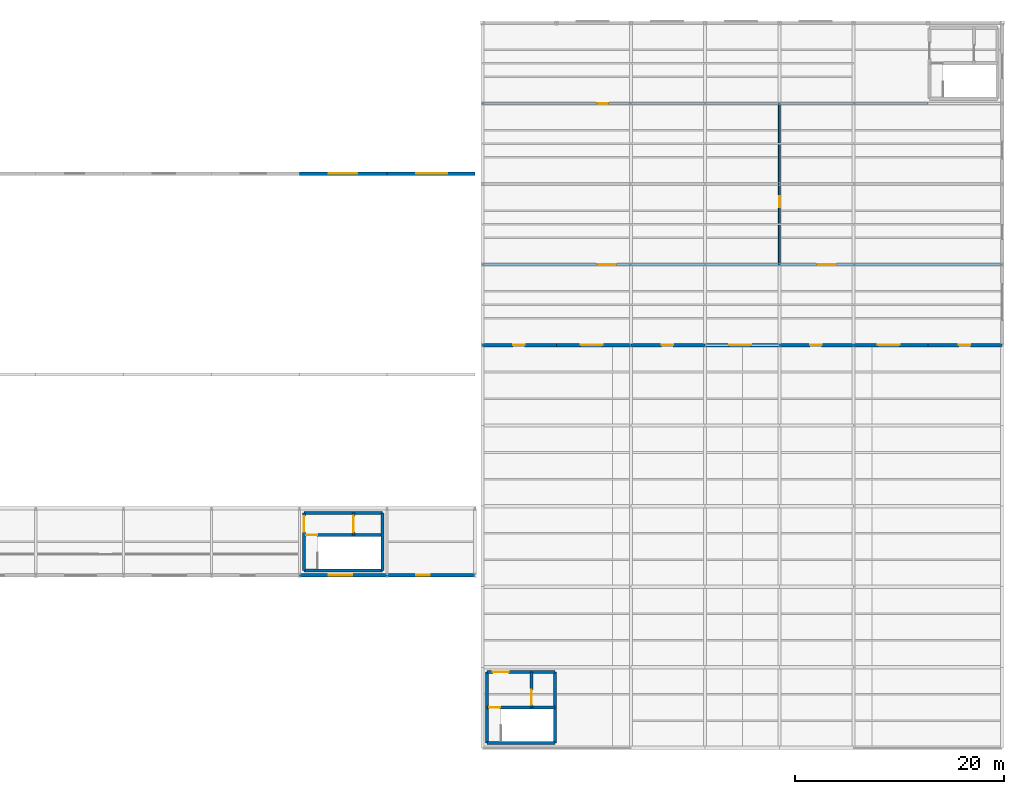
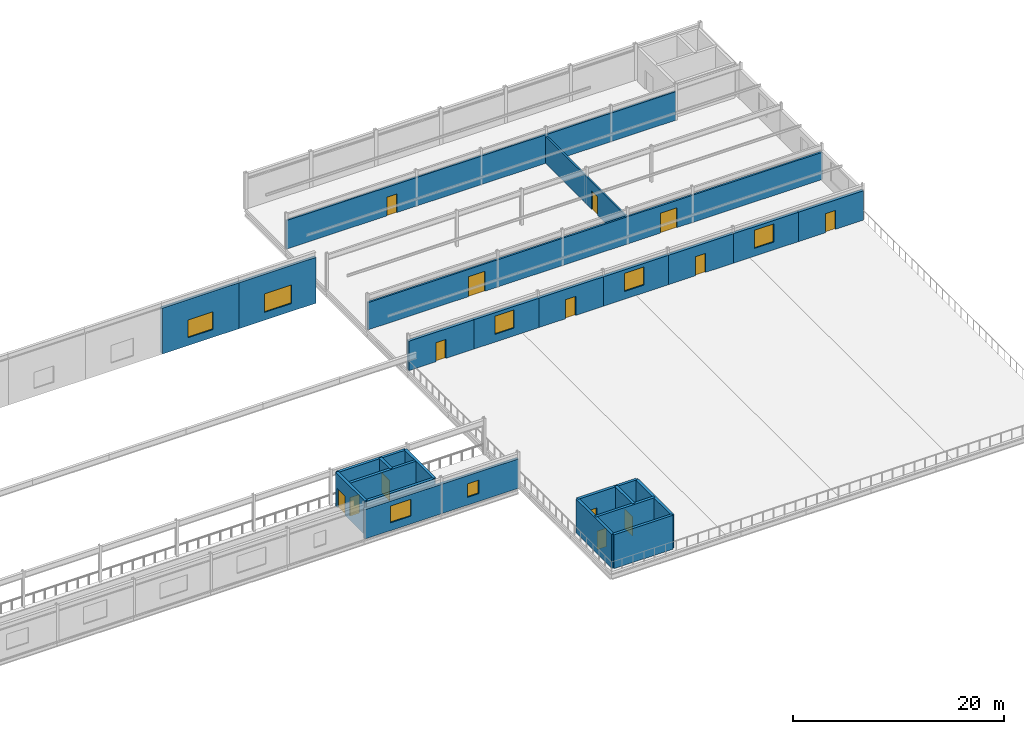
# One storey, part 33 of 39: 26 walls, 14 doors, 7 windows, 21 openings.
"""IFC4 building model written with IfcOpenShell, lengths in metres."""

from ifc_helpers import new_model, si_unit, direction, frame, frame_2d, origin, place, context, subcontext, project, spatial, rectangle, extrude, material, layer, layer_set, type_object, element, fill, save


model = new_model("IFC4")

# Units and contexts
model_context = context("Model", 3, precision=1e-05, world=origin(), true_north=direction((0.0, 1.0)))
body_context = subcontext(model_context, "Body", "Model", "MODEL_VIEW")
ifc_project = project(units=[si_unit("LENGTHUNIT", "METRE"), si_unit("AREAUNIT", "SQUARE_METRE"), si_unit("VOLUMEUNIT", "CUBIC_METRE"), si_unit("PLANEANGLEUNIT", "RADIAN"), si_unit("MASSUNIT", "GRAM", prefix="KILO")], contexts=[model_context])

# Site, building, storey
site_placement = place(None, origin())
site = spatial("IfcSite", under=ifc_project, at=site_placement, CompositionType="ELEMENT")
building_placement = place(site_placement, origin())
building = spatial("IfcBuilding", under=site, at=building_placement, Name="Kazenagashi Tramway Depot", CompositionType="ELEMENT")
storey_placement = place(building_placement, frame((0.0, 0.0, 11.1)))
storey = spatial("IfcBuildingStorey", under=building, at=storey_placement, Name="L03", CompositionType="ELEMENT", Elevation=11.1)

# Wall, opening, window
ifc_material_1 = material(Name="Clay Brick Masonry JIS R 1250 Class 1 (20 MPa)", Category="masonry")
ifc_layer_1 = layer(ifc_material_1, 0.32)
ifc_layer_set_1 = layer_set([ifc_layer_1], Name="Clay Brick Masonry JIS R 1250 Class 1 (20 MPa)")
wall_type_1 = type_object("IfcWallType", Name="W-BK3", PredefinedType="SOLIDWALL", material=ifc_layer_set_1)
wall_1_placement = place(storey_placement, frame((128.8, 16.5, 0.0), z_axis=(0.0, 0.0, 1.0), x_axis=(1.0, 0.0, 0.0)))
wall_1 = element("IfcWall", 1, at=wall_1_placement, inside=storey, type_object=wall_type_1, Name="Exterior Brick Wall W-BK3 EWALL-0098", PredefinedType="SOLIDWALL", context=body_context, shape_type="SweptSolid", body=[
    extrude(rectangle(XDim=8.4, YDim=0.32, at=frame_2d((4.2, 0.0))), origin(), (0.0, 0.0, 1.0), 3.4),
])
opening_1_placement = place(wall_1_placement, frame((2.8, 0.0, 0.9)))
opening_1 = element("IfcOpeningElement", 2, at=opening_1_placement, cuts=wall_1, Name="Opening WN-19", PredefinedType="OPENING", context=body_context, shape_type="SweptSolid", body=[
    extrude(rectangle(XDim=2.25, YDim=1.95, at=frame_2d((1.125, 0.975))), frame((0.0, 0.17, 0.0), z_axis=(0.0, -1.0, 0.0), x_axis=(1.0, 0.0, 0.0)), (0.0, 0.0, 1.0), 0.34),
])
ifc_material_2 = material(Name="Anodised Aluminium and Tempered Low-E Glass", Category="aluminium")
window_type_1 = type_object("IfcWindowType", Name="WN-19", PartitioningType="SINGLE_PANEL", PredefinedType="WINDOW", material=ifc_material_2)
window_1_placement = place(opening_1_placement, origin())
window_1 = element("IfcWindow", 3, at=window_1_placement, inside=storey, type_object=window_type_1, Name="Window WN-19 WIN-0067", OverallHeight=1.95, OverallWidth=2.25, PartitioningType="SINGLE_PANEL", PredefinedType="WINDOW", context=body_context, shape_type="SweptSolid", body=[
    extrude(rectangle(XDim=2.25, YDim=1.95, at=frame_2d((1.125, 0.975))), frame((0.0, 0.03, 0.0), z_axis=(0.0, -1.0, 0.0), x_axis=(1.0, 0.0, 0.0)), (0.0, 0.0, 1.0), 0.06),
])
fill(opening_1, window_1)

wall_2_placement = place(storey_placement, frame((137.2, 16.5, 0.0), z_axis=(0.0, 0.0, 1.0), x_axis=(1.0, 0.0, 0.0)))
wall_2 = element("IfcWall", 4, at=wall_2_placement, inside=storey, type_object=wall_type_1, Name="Exterior Brick Wall W-BK3 EWALL-0100", PredefinedType="SOLIDWALL", context=body_context, shape_type="SweptSolid", body=[
    extrude(rectangle(XDim=8.4, YDim=0.32, at=frame_2d((4.2, 0.0))), origin(), (0.0, 0.0, 1.0), 3.4),
])
opening_2_placement = place(wall_2_placement, frame((2.8, 0.0, 0.9)))
opening_2 = element("IfcOpeningElement", 5, at=opening_2_placement, cuts=wall_2, Name="Opening WN-21", PredefinedType="OPENING", context=body_context, shape_type="SweptSolid", body=[
    extrude(rectangle(XDim=1.25, YDim=1.55, at=frame_2d((0.625, 0.775))), frame((0.0, 0.17, 0.0), z_axis=(0.0, -1.0, 0.0), x_axis=(1.0, 0.0, 0.0)), (0.0, 0.0, 1.0), 0.34),
])
window_type_2 = type_object("IfcWindowType", Name="WN-21", PartitioningType="SINGLE_PANEL", PredefinedType="WINDOW", material=ifc_material_2)
window_2_placement = place(opening_2_placement, origin())
window_2 = element("IfcWindow", 6, at=window_2_placement, inside=storey, type_object=window_type_2, Name="Window WN-21 WIN-0069", OverallHeight=1.55, OverallWidth=1.25, PartitioningType="SINGLE_PANEL", PredefinedType="WINDOW", context=body_context, shape_type="SweptSolid", body=[
    extrude(rectangle(XDim=1.25, YDim=1.55, at=frame_2d((0.625, 0.775))), frame((0.0, 0.03, 0.0), z_axis=(0.0, -1.0, 0.0), x_axis=(1.0, 0.0, 0.0)), (0.0, 0.0, 1.0), 0.06),
])
fill(opening_2, window_2)

wall_3_placement = place(storey_placement, frame((128.8, 54.9, -1.9), z_axis=(0.0, 0.0, 1.0), x_axis=(1.0, 0.0, 0.0)))
wall_3 = element("IfcWall", 7, at=wall_3_placement, inside=storey, type_object=wall_type_1, Name="Exterior Brick Wall W-BK3 EWALL-0122", PredefinedType="SOLIDWALL", context=body_context, shape_type="SweptSolid", body=[
    extrude(rectangle(XDim=8.4, YDim=0.32, at=frame_2d((4.2, 0.0))), origin(), (0.0, 0.0, 1.0), 5.3),
])
opening_3_placement = place(wall_3_placement, frame((2.8, 0.0, 0.9)))
opening_3 = element("IfcOpeningElement", 8, at=opening_3_placement, cuts=wall_3, Name="Opening WN-43", PredefinedType="OPENING", context=body_context, shape_type="SweptSolid", body=[
    extrude(rectangle(XDim=2.75, YDim=2.05, at=frame_2d((1.375, 1.025))), frame((0.0, 0.17, 0.0), z_axis=(0.0, -1.0, 0.0), x_axis=(1.0, 0.0, 0.0)), (0.0, 0.0, 1.0), 0.34),
])
window_type_3 = type_object("IfcWindowType", Name="WN-43", PartitioningType="SINGLE_PANEL", PredefinedType="WINDOW", material=ifc_material_2)
window_3_placement = place(opening_3_placement, origin())
window_3 = element("IfcWindow", 9, at=window_3_placement, inside=storey, type_object=window_type_3, Name="Window WN-43 WIN-0091", OverallHeight=2.05, OverallWidth=2.75, PartitioningType="SINGLE_PANEL", PredefinedType="WINDOW", context=body_context, shape_type="SweptSolid", body=[
    extrude(rectangle(XDim=2.75, YDim=2.05, at=frame_2d((1.375, 1.025))), frame((0.0, 0.03, 0.0), z_axis=(0.0, -1.0, 0.0), x_axis=(1.0, 0.0, 0.0)), (0.0, 0.0, 1.0), 0.06),
])
fill(opening_3, window_3)

wall_4_placement = place(storey_placement, frame((137.2, 54.9, -1.9), z_axis=(0.0, 0.0, 1.0), x_axis=(1.0, 0.0, 0.0)))
wall_4 = element("IfcWall", 10, at=wall_4_placement, inside=storey, type_object=wall_type_1, Name="Exterior Brick Wall W-BK3 EWALL-0124", PredefinedType="SOLIDWALL", context=body_context, shape_type="SweptSolid", body=[
    extrude(rectangle(XDim=8.4, YDim=0.32, at=frame_2d((4.2, 0.0))), origin(), (0.0, 0.0, 1.0), 5.3),
])
opening_4_placement = place(wall_4_placement, frame((2.8, 0.0, 0.9)))
opening_4 = element("IfcOpeningElement", 11, at=opening_4_placement, cuts=wall_4, Name="Opening WN-45", PredefinedType="OPENING", context=body_context, shape_type="SweptSolid", body=[
    extrude(rectangle(XDim=2.95, YDim=2.15, at=frame_2d((1.475, 1.075))), frame((0.0, 0.17, 0.0), z_axis=(0.0, -1.0, 0.0), x_axis=(1.0, 0.0, 0.0)), (0.0, 0.0, 1.0), 0.34),
])
window_type_4 = type_object("IfcWindowType", Name="WN-45", PartitioningType="SINGLE_PANEL", PredefinedType="WINDOW", material=ifc_material_2)
window_4_placement = place(opening_4_placement, origin())
window_4 = element("IfcWindow", 12, at=window_4_placement, inside=storey, type_object=window_type_4, Name="Window WN-45 WIN-0093", OverallHeight=2.15, OverallWidth=2.95, PartitioningType="SINGLE_PANEL", PredefinedType="WINDOW", context=body_context, shape_type="SweptSolid", body=[
    extrude(rectangle(XDim=2.95, YDim=2.15, at=frame_2d((1.475, 1.075))), frame((0.0, 0.03, 0.0), z_axis=(0.0, -1.0, 0.0), x_axis=(1.0, 0.0, 0.0)), (0.0, 0.0, 1.0), 0.06),
])
fill(opening_4, window_4)

# Wall, opening, door
wall_5_placement = place(storey_placement, frame((146.3, 38.5, 0.0), z_axis=(0.0, 0.0, 1.0), x_axis=(1.0, 0.0, 0.0)))
wall_5 = element("IfcWall", 13, at=wall_5_placement, inside=storey, type_object=wall_type_1, Name="Exterior Brick Wall W-BK3 EWALL-0174", PredefinedType="SOLIDWALL", context=body_context, shape_type="SweptSolid", body=[
    extrude(rectangle(XDim=7.1, YDim=0.32, at=frame_2d((3.55, 0.0))), origin(), (0.0, 0.0, 1.0), 3.4),
])
opening_5_placement = place(wall_5_placement, frame((2.95, 0.0, 0.0)))
opening_5 = element("IfcOpeningElement", 14, at=opening_5_placement, cuts=wall_5, Name="Opening D-011", PredefinedType="OPENING", context=body_context, shape_type="SweptSolid", body=[
    extrude(rectangle(XDim=1.1, YDim=2.2, at=frame_2d((0.55, 1.1))), frame((0.0, 0.17, 0.0), z_axis=(0.0, -1.0, 0.0), x_axis=(1.0, 0.0, 0.0)), (0.0, 0.0, 1.0), 0.34),
])
ifc_material_3 = material(Name="Anodised Aluminium Terrace Door", Category="aluminium")
door_type_1 = type_object("IfcDoorType", Name="DT-04", OperationType="NOTDEFINED", PredefinedType="DOOR", material=ifc_material_3)
door_1_placement = place(opening_5_placement, frame((1.1, 0.0, 0.0), z_axis=(0.0, 0.0, 1.0), x_axis=(-1.0, 0.0, 0.0)))
door_1 = element("IfcDoor", 15, at=door_1_placement, inside=storey, type_object=door_type_1, Name="Roof Garden Terrace Access Door D-011", OperationType="SINGLE_SWING_LEFT", OverallHeight=2.2, OverallWidth=1.1, PredefinedType="DOOR", context=body_context, shape_type="SweptSolid", body=[
    extrude(rectangle(XDim=1.1, YDim=2.2, at=frame_2d((0.55, 1.1))), frame((0.0, 0.025, 0.0), z_axis=(0.0, -1.0, 0.0), x_axis=(1.0, 0.0, 0.0)), (0.0, 0.0, 1.0), 0.05),
])
fill(opening_5, door_1)

# Wall, opening, window
wall_6_placement = place(storey_placement, frame((153.4, 38.5, 0.0), z_axis=(0.0, 0.0, 1.0), x_axis=(1.0, 0.0, 0.0)))
wall_6 = element("IfcWall", 16, at=wall_6_placement, inside=storey, type_object=wall_type_1, Name="Exterior Brick Wall W-BK3 EWALL-0175", PredefinedType="SOLIDWALL", context=body_context, shape_type="SweptSolid", body=[
    extrude(rectangle(XDim=7.1, YDim=0.32, at=frame_2d((3.55, 0.0))), origin(), (0.0, 0.0, 1.0), 3.4),
])
opening_6_placement = place(wall_6_placement, frame((2.3, 0.0, 0.9)))
opening_6 = element("IfcOpeningElement", 17, at=opening_6_placement, cuts=wall_6, Name="Opening WN-08", PredefinedType="OPENING", context=body_context, shape_type="SweptSolid", body=[
    extrude(rectangle(XDim=2.1, YDim=2.1, at=frame_2d((1.05, 1.05))), frame((0.0, 0.17, 0.0), z_axis=(0.0, -1.0, 0.0), x_axis=(1.0, 0.0, 0.0)), (0.0, 0.0, 1.0), 0.34),
])
window_type_5 = type_object("IfcWindowType", Name="WN-08", PartitioningType="SINGLE_PANEL", PredefinedType="WINDOW", material=ifc_material_2)
window_5_placement = place(opening_6_placement, origin())
window_5 = element("IfcWindow", 18, at=window_5_placement, inside=storey, type_object=window_type_5, Name="Window WN-08 WIN-0169", OverallHeight=2.1, OverallWidth=2.1, PartitioningType="SINGLE_PANEL", PredefinedType="WINDOW", context=body_context, shape_type="SweptSolid", body=[
    extrude(rectangle(XDim=2.1, YDim=2.1, at=frame_2d((1.05, 1.05))), frame((0.0, 0.03, 0.0), z_axis=(0.0, -1.0, 0.0), x_axis=(1.0, 0.0, 0.0)), (0.0, 0.0, 1.0), 0.06),
])
fill(opening_6, window_5)

# Wall, opening, door
wall_7_placement = place(storey_placement, frame((160.5, 38.5, 0.0), z_axis=(0.0, 0.0, 1.0), x_axis=(1.0, 0.0, 0.0)))
wall_7 = element("IfcWall", 19, at=wall_7_placement, inside=storey, type_object=wall_type_1, Name="Exterior Brick Wall W-BK3 EWALL-0176", PredefinedType="SOLIDWALL", context=body_context, shape_type="SweptSolid", body=[
    extrude(rectangle(XDim=7.1, YDim=0.32, at=frame_2d((3.55, 0.0))), origin(), (0.0, 0.0, 1.0), 3.4),
])
opening_7_placement = place(wall_7_placement, frame((2.95, 0.0, 0.0)))
opening_7 = element("IfcOpeningElement", 20, at=opening_7_placement, cuts=wall_7, Name="Opening D-012", PredefinedType="OPENING", context=body_context, shape_type="SweptSolid", body=[
    extrude(rectangle(XDim=1.1, YDim=2.2, at=frame_2d((0.55, 1.1))), frame((0.0, 0.17, 0.0), z_axis=(0.0, -1.0, 0.0), x_axis=(1.0, 0.0, 0.0)), (0.0, 0.0, 1.0), 0.34),
])
door_2_placement = place(opening_7_placement, frame((1.1, 0.0, 0.0), z_axis=(0.0, 0.0, 1.0), x_axis=(-1.0, 0.0, 0.0)))
door_2 = element("IfcDoor", 21, at=door_2_placement, inside=storey, type_object=door_type_1, Name="Roof Garden Terrace Access Door D-012", OperationType="SINGLE_SWING_LEFT", OverallHeight=2.2, OverallWidth=1.1, PredefinedType="DOOR", context=body_context, shape_type="SweptSolid", body=[
    extrude(rectangle(XDim=1.1, YDim=2.2, at=frame_2d((0.55, 1.1))), frame((0.0, 0.025, 0.0), z_axis=(0.0, -1.0, 0.0), x_axis=(1.0, 0.0, 0.0)), (0.0, 0.0, 1.0), 0.05),
])
fill(opening_7, door_2)

# Wall, opening, window
wall_8_placement = place(storey_placement, frame((167.6, 38.5, 0.0), z_axis=(0.0, 0.0, 1.0), x_axis=(1.0, 0.0, 0.0)))
wall_8 = element("IfcWall", 22, at=wall_8_placement, inside=storey, type_object=wall_type_1, Name="Exterior Brick Wall W-BK3 EWALL-0177", PredefinedType="SOLIDWALL", context=body_context, shape_type="SweptSolid", body=[
    extrude(rectangle(XDim=7.1, YDim=0.32, at=frame_2d((3.55, 0.0))), origin(), (0.0, 0.0, 1.0), 3.4),
])
opening_8_placement = place(wall_8_placement, frame((2.3, 0.0, 0.9)))
opening_8 = element("IfcOpeningElement", 23, at=opening_8_placement, cuts=wall_8, Name="Opening WN-08", PredefinedType="OPENING", context=body_context, shape_type="SweptSolid", body=[
    extrude(rectangle(XDim=2.1, YDim=2.1, at=frame_2d((1.05, 1.05))), frame((0.0, 0.17, 0.0), z_axis=(0.0, -1.0, 0.0), x_axis=(1.0, 0.0, 0.0)), (0.0, 0.0, 1.0), 0.34),
])
window_6_placement = place(opening_8_placement, origin())
window_6 = element("IfcWindow", 24, at=window_6_placement, inside=storey, type_object=window_type_5, Name="Window WN-08 WIN-0170", OverallHeight=2.1, OverallWidth=2.1, PartitioningType="SINGLE_PANEL", PredefinedType="WINDOW", context=body_context, shape_type="SweptSolid", body=[
    extrude(rectangle(XDim=2.1, YDim=2.1, at=frame_2d((1.05, 1.05))), frame((0.0, 0.03, 0.0), z_axis=(0.0, -1.0, 0.0), x_axis=(1.0, 0.0, 0.0)), (0.0, 0.0, 1.0), 0.06),
])
fill(opening_8, window_6)

# Wall, opening, door
wall_9_placement = place(storey_placement, frame((174.7, 38.5, 0.0), z_axis=(0.0, 0.0, 1.0), x_axis=(1.0, 0.0, 0.0)))
wall_9 = element("IfcWall", 25, at=wall_9_placement, inside=storey, type_object=wall_type_1, Name="Exterior Brick Wall W-BK3 EWALL-0178", PredefinedType="SOLIDWALL", context=body_context, shape_type="SweptSolid", body=[
    extrude(rectangle(XDim=7.1, YDim=0.32, at=frame_2d((3.55, 0.0))), origin(), (0.0, 0.0, 1.0), 3.4),
])
opening_9_placement = place(wall_9_placement, frame((2.95, 0.0, 0.0)))
opening_9 = element("IfcOpeningElement", 26, at=opening_9_placement, cuts=wall_9, Name="Opening D-013", PredefinedType="OPENING", context=body_context, shape_type="SweptSolid", body=[
    extrude(rectangle(XDim=1.1, YDim=2.2, at=frame_2d((0.55, 1.1))), frame((0.0, 0.17, 0.0), z_axis=(0.0, -1.0, 0.0), x_axis=(1.0, 0.0, 0.0)), (0.0, 0.0, 1.0), 0.34),
])
door_3_placement = place(opening_9_placement, frame((1.1, 0.0, 0.0), z_axis=(0.0, 0.0, 1.0), x_axis=(-1.0, 0.0, 0.0)))
door_3 = element("IfcDoor", 27, at=door_3_placement, inside=storey, type_object=door_type_1, Name="Roof Garden Terrace Access Door D-013", OperationType="SINGLE_SWING_LEFT", OverallHeight=2.2, OverallWidth=1.1, PredefinedType="DOOR", context=body_context, shape_type="SweptSolid", body=[
    extrude(rectangle(XDim=1.1, YDim=2.2, at=frame_2d((0.55, 1.1))), frame((0.0, 0.025, 0.0), z_axis=(0.0, -1.0, 0.0), x_axis=(1.0, 0.0, 0.0)), (0.0, 0.0, 1.0), 0.05),
])
fill(opening_9, door_3)

# Wall, opening, window
wall_10_placement = place(storey_placement, frame((181.8, 38.5, 0.0), z_axis=(0.0, 0.0, 1.0), x_axis=(1.0, 0.0, 0.0)))
wall_10 = element("IfcWall", 28, at=wall_10_placement, inside=storey, type_object=wall_type_1, Name="Exterior Brick Wall W-BK3 EWALL-0179", PredefinedType="SOLIDWALL", context=body_context, shape_type="SweptSolid", body=[
    extrude(rectangle(XDim=7.1, YDim=0.32, at=frame_2d((3.55, 0.0))), origin(), (0.0, 0.0, 1.0), 3.4),
])
opening_10_placement = place(wall_10_placement, frame((2.3, 0.0, 0.9)))
opening_10 = element("IfcOpeningElement", 29, at=opening_10_placement, cuts=wall_10, Name="Opening WN-08", PredefinedType="OPENING", context=body_context, shape_type="SweptSolid", body=[
    extrude(rectangle(XDim=2.1, YDim=2.1, at=frame_2d((1.05, 1.05))), frame((0.0, 0.17, 0.0), z_axis=(0.0, -1.0, 0.0), x_axis=(1.0, 0.0, 0.0)), (0.0, 0.0, 1.0), 0.34),
])
window_7_placement = place(opening_10_placement, origin())
window_7 = element("IfcWindow", 30, at=window_7_placement, inside=storey, type_object=window_type_5, Name="Window WN-08 WIN-0171", OverallHeight=2.1, OverallWidth=2.1, PartitioningType="SINGLE_PANEL", PredefinedType="WINDOW", context=body_context, shape_type="SweptSolid", body=[
    extrude(rectangle(XDim=2.1, YDim=2.1, at=frame_2d((1.05, 1.05))), frame((0.0, 0.03, 0.0), z_axis=(0.0, -1.0, 0.0), x_axis=(1.0, 0.0, 0.0)), (0.0, 0.0, 1.0), 0.06),
])
fill(opening_10, window_7)

# Wall, opening, door
wall_11_placement = place(storey_placement, frame((188.9, 38.5, 0.0), z_axis=(0.0, 0.0, 1.0), x_axis=(1.0, 0.0, 0.0)))
wall_11 = element("IfcWall", 31, at=wall_11_placement, inside=storey, type_object=wall_type_1, Name="Exterior Brick Wall W-BK3 EWALL-0180", PredefinedType="SOLIDWALL", context=body_context, shape_type="SweptSolid", body=[
    extrude(rectangle(XDim=7.1, YDim=0.32, at=frame_2d((3.55, 0.0))), origin(), (0.0, 0.0, 1.0), 3.4),
])
opening_11_placement = place(wall_11_placement, frame((2.95, 0.0, 0.0)))
opening_11 = element("IfcOpeningElement", 32, at=opening_11_placement, cuts=wall_11, Name="Opening D-014", PredefinedType="OPENING", context=body_context, shape_type="SweptSolid", body=[
    extrude(rectangle(XDim=1.1, YDim=2.2, at=frame_2d((0.55, 1.1))), frame((0.0, 0.17, 0.0), z_axis=(0.0, -1.0, 0.0), x_axis=(1.0, 0.0, 0.0)), (0.0, 0.0, 1.0), 0.34),
])
door_4_placement = place(opening_11_placement, frame((1.1, 0.0, 0.0), z_axis=(0.0, 0.0, 1.0), x_axis=(-1.0, 0.0, 0.0)))
door_4 = element("IfcDoor", 33, at=door_4_placement, inside=storey, type_object=door_type_1, Name="Roof Garden Terrace Access Door D-014", OperationType="SINGLE_SWING_LEFT", OverallHeight=2.2, OverallWidth=1.1, PredefinedType="DOOR", context=body_context, shape_type="SweptSolid", body=[
    extrude(rectangle(XDim=1.1, YDim=2.2, at=frame_2d((0.55, 1.1))), frame((0.0, 0.025, 0.0), z_axis=(0.0, -1.0, 0.0), x_axis=(1.0, 0.0, 0.0)), (0.0, 0.0, 1.0), 0.05),
])
fill(opening_11, door_4)

ifc_material_4 = material(Name="Gypsum Plasterboard Partition", Category="gypsum")
ifc_layer_2 = layer(ifc_material_4, 0.18)
ifc_layer_set_2 = layer_set([ifc_layer_2], Name="Gypsum Plasterboard Partition")
wall_type_2 = type_object("IfcWallType", Name="W-PT4", PredefinedType="PARTITIONING", material=ifc_layer_set_2)
wall_12_placement = place(storey_placement, frame((146.3, 61.6, 0.0), z_axis=(0.0, 0.0, 1.0), x_axis=(1.0, 0.0, 0.0)))
wall_12 = element("IfcWall", 34, at=wall_12_placement, inside=storey, type_object=wall_type_2, Name="Interior Partition W-PT4 IWALL-0267", PredefinedType="PARTITIONING", context=body_context, shape_type="SweptSolid", body=[
    extrude(rectangle(XDim=42.6, YDim=0.18, at=frame_2d((21.3, 0.0))), origin(), (0.0, 0.0, 1.0), 3.3),
])
opening_12_placement = place(wall_12_placement, frame((11.0, 0.0, 0.0)))
opening_12 = element("IfcOpeningElement", 35, at=opening_12_placement, cuts=wall_12, Name="Opening D-172", PredefinedType="OPENING", context=body_context, shape_type="SweptSolid", body=[
    extrude(rectangle(XDim=1.05, YDim=2.15, at=frame_2d((0.525, 1.075))), frame((0.0, 0.1, 0.0), z_axis=(0.0, -1.0, 0.0), x_axis=(1.0, 0.0, 0.0)), (0.0, 0.0, 1.0), 0.2),
])
ifc_material_5 = material(Name="Galvanised Fire-Rated Steel Door", Category="steel")
door_type_2 = type_object("IfcDoorType", Name="DT-07", OperationType="NOTDEFINED", PredefinedType="DOOR", material=ifc_material_5)
door_5_placement = place(opening_12_placement, origin())
door_5 = element("IfcDoor", 36, at=door_5_placement, inside=storey, type_object=door_type_2, Name="Interior Door D-172", OperationType="SINGLE_SWING_LEFT", OverallHeight=2.15, OverallWidth=1.05, PredefinedType="DOOR", context=body_context, shape_type="SweptSolid", body=[
    extrude(rectangle(XDim=1.05, YDim=2.15, at=frame_2d((0.525, 1.075))), frame((0.0, 0.025, 0.0), z_axis=(0.0, -1.0, 0.0), x_axis=(1.0, 0.0, 0.0)), (0.0, 0.0, 1.0), 0.05),
])
fill(opening_12, door_5)

wall_13_placement = place(storey_placement, frame((174.7, 46.2, 0.0), z_axis=(0.0, 0.0, 1.0), x_axis=(0.0, 1.0, 0.0)))
wall_13 = element("IfcWall", 37, at=wall_13_placement, inside=storey, type_object=wall_type_2, Name="Interior Partition W-PT4 IWALL-0282", PredefinedType="PARTITIONING", context=body_context, shape_type="SweptSolid", body=[
    extrude(rectangle(XDim=15.4, YDim=0.18, at=frame_2d((7.7, 0.0))), origin(), (0.0, 0.0, 1.0), 3.15),
])
opening_13_placement = place(wall_13_placement, frame((5.5, 0.0, 0.0)))
opening_13 = element("IfcOpeningElement", 38, at=opening_13_placement, cuts=wall_13, Name="Opening D-194", PredefinedType="OPENING", context=body_context, shape_type="SweptSolid", body=[
    extrude(rectangle(XDim=1.05, YDim=2.15, at=frame_2d((0.525, 1.075))), frame((0.0, 0.1, 0.0), z_axis=(0.0, -1.0, 0.0), x_axis=(1.0, 0.0, 0.0)), (0.0, 0.0, 1.0), 0.2),
])
door_6_placement = place(opening_13_placement, origin())
door_6 = element("IfcDoor", 39, at=door_6_placement, inside=storey, type_object=door_type_2, Name="Interior Door D-194", OperationType="SINGLE_SWING_LEFT", OverallHeight=2.15, OverallWidth=1.05, PredefinedType="DOOR", context=body_context, shape_type="SweptSolid", body=[
    extrude(rectangle(XDim=1.05, YDim=2.15, at=frame_2d((0.525, 1.075))), frame((0.0, 0.025, 0.0), z_axis=(0.0, -1.0, 0.0), x_axis=(1.0, 0.0, 0.0)), (0.0, 0.0, 1.0), 0.05),
])
fill(opening_13, door_6)

# Wall, openings, doors
ifc_layer_3 = layer(ifc_material_4, 0.2)
ifc_layer_set_3 = layer_set([ifc_layer_3], Name="Gypsum Plasterboard Partition")
wall_type_3 = type_object("IfcWallType", Name="W-PT5", PredefinedType="PARTITIONING", material=ifc_layer_set_3)
wall_14_placement = place(storey_placement, frame((146.3, 46.2, 0.0), z_axis=(0.0, 0.0, 1.0), x_axis=(1.0, 0.0, 0.0)))
wall_14 = element("IfcWall", 40, at=wall_14_placement, inside=storey, type_object=wall_type_3, Name="Interior Partition W-PT5 IWALL-0281", PredefinedType="PARTITIONING", context=body_context, shape_type="SweptSolid", body=[
    extrude(rectangle(XDim=49.7, YDim=0.2, at=frame_2d((24.85, 0.0))), origin(), (0.0, 0.0, 1.0), 3.15),
])
opening_14_placement = place(wall_14_placement, frame((11.0, 0.0, 0.0)))
opening_14 = element("IfcOpeningElement", 41, at=opening_14_placement, cuts=wall_14, Name="Opening D-192", PredefinedType="OPENING", context=body_context, shape_type="SweptSolid", body=[
    extrude(rectangle(XDim=1.8, YDim=2.3, at=frame_2d((0.9, 1.15))), frame((0.0, 0.11, 0.0), z_axis=(0.0, -1.0, 0.0), x_axis=(1.0, 0.0, 0.0)), (0.0, 0.0, 1.0), 0.22),
])
opening_15_placement = place(wall_14_placement, frame((32.0, 0.0, 0.0)))
opening_15 = element("IfcOpeningElement", 42, at=opening_15_placement, cuts=wall_14, Name="Opening D-193", PredefinedType="OPENING", context=body_context, shape_type="SweptSolid", body=[
    extrude(rectangle(XDim=1.8, YDim=2.3, at=frame_2d((0.9, 1.15))), frame((0.0, 0.11, 0.0), z_axis=(0.0, -1.0, 0.0), x_axis=(1.0, 0.0, 0.0)), (0.0, 0.0, 1.0), 0.22),
])
door_type_3 = type_object("IfcDoorType", Name="DT-08", OperationType="NOTDEFINED", PredefinedType="DOOR", material=ifc_material_5)
door_7_placement = place(opening_14_placement, origin())
door_7 = element("IfcDoor", 43, at=door_7_placement, inside=storey, type_object=door_type_3, Name="Interior Door D-192", OperationType="DOUBLE_DOOR_SINGLE_SWING", OverallHeight=2.3, OverallWidth=1.8, PredefinedType="DOOR", context=body_context, shape_type="SweptSolid", body=[
    extrude(rectangle(XDim=1.8, YDim=2.3, at=frame_2d((0.9, 1.15))), frame((0.0, 0.025, 0.0), z_axis=(0.0, -1.0, 0.0), x_axis=(1.0, 0.0, 0.0)), (0.0, 0.0, 1.0), 0.05),
])
fill(opening_14, door_7)
door_8_placement = place(opening_15_placement, origin())
door_8 = element("IfcDoor", 44, at=door_8_placement, inside=storey, type_object=door_type_3, Name="Interior Door D-193", OperationType="DOUBLE_DOOR_SINGLE_SWING", OverallHeight=2.3, OverallWidth=1.8, PredefinedType="DOOR", context=body_context, shape_type="SweptSolid", body=[
    extrude(rectangle(XDim=1.8, YDim=2.3, at=frame_2d((0.9, 1.15))), frame((0.0, 0.025, 0.0), z_axis=(0.0, -1.0, 0.0), x_axis=(1.0, 0.0, 0.0)), (0.0, 0.0, 1.0), 0.05),
])
fill(opening_15, door_8)

# Walls
ifc_material_6 = material(Name="Concrete Fc36", Category="concrete")
ifc_layer_4 = layer(ifc_material_6, 0.3)
ifc_layer_set_4 = layer_set([ifc_layer_4], Name="Concrete Fc36")
wall_type_4 = type_object("IfcWallType", Name="W-RC1", PredefinedType="SHEAR", material=ifc_layer_set_4)
for number, where, z_axis, x_axis, name in (
    (45, (129.26, 16.96, 0.0), (0.0, 0.0, 1.0), (1.0, 0.0, 0.0), "Core Shear Wall W-RC1 IWALL-0165"),
    (46, (129.26, 22.44, 0.0), (0.0, 0.0, 1.0), (1.0, 0.0, 0.0), "Core Shear Wall W-RC1 IWALL-0166"),
):
    element("IfcWall", number, at=place(storey_placement, frame(where, z_axis=z_axis, x_axis=x_axis)), inside=storey, type_object=wall_type_4, Name=name, PredefinedType="SHEAR", context=body_context, shape_type="SweptSolid", body=[
        extrude(rectangle(XDim=7.48, YDim=0.3, at=frame_2d((3.74, 0.0))), origin(), (0.0, 0.0, 1.0), 3.92),
    ])

# Wall, opening, door
wall_15_placement = place(storey_placement, frame((129.26, 16.96, 0.0), z_axis=(0.0, 0.0, 1.0), x_axis=(0.0, 1.0, 0.0)))
wall_15 = element("IfcWall", 47, at=wall_15_placement, inside=storey, type_object=wall_type_4, Name="Core Shear Wall W-RC1 IWALL-0167", PredefinedType="SHEAR", context=body_context, shape_type="SweptSolid", body=[
    extrude(rectangle(XDim=5.48, YDim=0.3, at=frame_2d((2.74, 0.0))), origin(), (0.0, 0.0, 1.0), 3.92),
])
opening_16_placement = place(wall_15_placement, frame((3.685, 0.0, 0.0)))
opening_16 = element("IfcOpeningElement", 48, at=opening_16_placement, cuts=wall_15, Name="Opening D-105", PredefinedType="OPENING", context=body_context, shape_type="SweptSolid", body=[
    extrude(rectangle(XDim=1.5, YDim=2.2, at=frame_2d((0.75, 1.1))), frame((0.0, 0.16, 0.0), z_axis=(0.0, -1.0, 0.0), x_axis=(1.0, 0.0, 0.0)), (0.0, 0.0, 1.0), 0.32),
])
door_type_4 = type_object("IfcDoorType", Name="DT-05", OperationType="NOTDEFINED", PredefinedType="DOOR", material=ifc_material_5)
door_9_placement = place(opening_16_placement, origin())
door_9 = element("IfcDoor", 49, at=door_9_placement, inside=storey, type_object=door_type_4, Name="Interior Door D-105", OperationType="DOUBLE_DOOR_SINGLE_SWING", OverallHeight=2.2, OverallWidth=1.5, PredefinedType="DOOR", context=body_context, shape_type="SweptSolid", body=[
    extrude(rectangle(XDim=1.5, YDim=2.2, at=frame_2d((0.75, 1.1))), frame((0.0, 0.025, 0.0), z_axis=(0.0, -1.0, 0.0), x_axis=(1.0, 0.0, 0.0)), (0.0, 0.0, 1.0), 0.05),
])
fill(opening_16, door_9)

# Wall
wall_16_placement = place(storey_placement, frame((136.74, 16.96, 0.0), z_axis=(0.0, 0.0, 1.0), x_axis=(0.0, 1.0, 0.0)))
element("IfcWall", 50, at=wall_16_placement, inside=storey, type_object=wall_type_4, Name="Core Shear Wall W-RC1 IWALL-0168", PredefinedType="SHEAR", context=body_context, shape_type="SweptSolid", body=[
    extrude(rectangle(XDim=5.48, YDim=0.3, at=frame_2d((2.74, 0.0))), origin(), (0.0, 0.0, 1.0), 3.92),
])

# Wall, opening, door
wall_17_placement = place(storey_placement, frame((129.26, 20.35, 0.0), z_axis=(0.0, 0.0, 1.0), x_axis=(1.0, 0.0, 0.0)))
wall_17 = element("IfcWall", 51, at=wall_17_placement, inside=storey, type_object=wall_type_4, Name="Core Shear Wall W-RC1 IWALL-0169", PredefinedType="SHEAR", context=body_context, shape_type="SweptSolid", body=[
    extrude(rectangle(XDim=7.48, YDim=0.3, at=frame_2d((3.74, 0.0))), origin(), (0.0, 0.0, 1.0), 3.92),
])
opening_17_placement = place(wall_17_placement, frame((0.185, 0.0, 0.0)))
opening_17 = element("IfcOpeningElement", 52, at=opening_17_placement, cuts=wall_17, Name="Opening D-104", PredefinedType="OPENING", context=body_context, shape_type="SweptSolid", body=[
    extrude(rectangle(XDim=1.05, YDim=2.15, at=frame_2d((0.525, 1.075))), frame((0.0, 0.16, 0.0), z_axis=(0.0, -1.0, 0.0), x_axis=(1.0, 0.0, 0.0)), (0.0, 0.0, 1.0), 0.32),
])
door_10_placement = place(opening_17_placement, origin())
door_10 = element("IfcDoor", 53, at=door_10_placement, inside=storey, type_object=door_type_2, Name="Interior Door D-104", OperationType="SINGLE_SWING_LEFT", OverallHeight=2.15, OverallWidth=1.05, PredefinedType="DOOR", context=body_context, shape_type="SweptSolid", body=[
    extrude(rectangle(XDim=1.05, YDim=2.15, at=frame_2d((0.525, 1.075))), frame((0.0, 0.025, 0.0), z_axis=(0.0, -1.0, 0.0), x_axis=(1.0, 0.0, 0.0)), (0.0, 0.0, 1.0), 0.05),
])
fill(opening_17, door_10)

wall_18_placement = place(storey_placement, frame((133.99, 20.35, 0.0), z_axis=(0.0, 0.0, 1.0), x_axis=(0.0, 1.0, 0.0)))
wall_18 = element("IfcWall", 54, at=wall_18_placement, inside=storey, type_object=wall_type_4, Name="Core Shear Wall W-RC1 IWALL-0170", PredefinedType="SHEAR", context=body_context, shape_type="SweptSolid", body=[
    extrude(rectangle(XDim=2.09, YDim=0.3, at=frame_2d((1.045, 0.0))), origin(), (0.0, 0.0, 1.0), 3.92),
])
opening_18_placement = place(wall_18_placement, frame((0.27, 0.0, 0.0)))
opening_18 = element("IfcOpeningElement", 55, at=opening_18_placement, cuts=wall_18, Name="Opening LD-23", PredefinedType="OPENING", context=body_context, shape_type="SweptSolid", body=[
    extrude(rectangle(XDim=1.55, YDim=2.35, at=frame_2d((0.775, 1.175))), frame((0.0, 0.16, 0.0), z_axis=(0.0, -1.0, 0.0), x_axis=(1.0, 0.0, 0.0)), (0.0, 0.0, 1.0), 0.32),
])
ifc_material_7 = material(Name="Heavy-Duty Freight Lift Landing Door")
door_type_5 = type_object("IfcDoorType", Name="DT-31", OperationType="NOTDEFINED", PredefinedType="DOOR", material=ifc_material_7)
door_11_placement = place(opening_18_placement, origin())
door_11 = element("IfcDoor", 56, at=door_11_placement, inside=storey, type_object=door_type_5, Name="Lift Sliding Landing Door LD-23", OperationType="SLIDING_TO_LEFT", OverallHeight=2.35, OverallWidth=1.55, PredefinedType="DOOR", context=body_context, shape_type="SweptSolid", body=[
    extrude(rectangle(XDim=1.55, YDim=2.35, at=frame_2d((0.775, 1.175))), frame((0.0, 0.025, 0.0), z_axis=(0.0, -1.0, 0.0), x_axis=(1.0, 0.0, 0.0)), (0.0, 0.0, 1.0), 0.05),
])
fill(opening_18, door_11)

# Wall
wall_19_placement = place(storey_placement, frame((146.76, 0.46, 0.0), z_axis=(0.0, 0.0, 1.0), x_axis=(1.0, 0.0, 0.0)))
element("IfcWall", 57, at=wall_19_placement, inside=storey, type_object=wall_type_4, Name="Core Shear Wall W-RC1 IWALL-0193", PredefinedType="SHEAR", context=body_context, shape_type="SweptSolid", body=[
    extrude(rectangle(XDim=6.48, YDim=0.3, at=frame_2d((3.24, 0.0))), origin(), (0.0, 0.0, 1.0), 3.92),
])

# Wall, opening, door
wall_20_placement = place(storey_placement, frame((146.76, 7.24, 0.0), z_axis=(0.0, 0.0, 1.0), x_axis=(1.0, 0.0, 0.0)))
wall_20 = element("IfcWall", 58, at=wall_20_placement, inside=storey, type_object=wall_type_4, Name="Core Shear Wall W-RC1 IWALL-0194", PredefinedType="SHEAR", context=body_context, shape_type="SweptSolid", body=[
    extrude(rectangle(XDim=6.48, YDim=0.3, at=frame_2d((3.24, 0.0))), origin(), (0.0, 0.0, 1.0), 3.92),
])
opening_19_placement = place(wall_20_placement, frame((0.55, 0.0, 0.0)))
opening_19 = element("IfcOpeningElement", 59, at=opening_19_placement, cuts=wall_20, Name="Opening D-115", PredefinedType="OPENING", context=body_context, shape_type="SweptSolid", body=[
    extrude(rectangle(XDim=1.5, YDim=2.2, at=frame_2d((0.75, 1.1))), frame((0.0, 0.16, 0.0), z_axis=(0.0, -1.0, 0.0), x_axis=(1.0, 0.0, 0.0)), (0.0, 0.0, 1.0), 0.32),
])
door_12_placement = place(opening_19_placement, origin())
door_12 = element("IfcDoor", 60, at=door_12_placement, inside=storey, type_object=door_type_4, Name="Interior Door D-115", OperationType="DOUBLE_DOOR_SINGLE_SWING", OverallHeight=2.2, OverallWidth=1.5, PredefinedType="DOOR", context=body_context, shape_type="SweptSolid", body=[
    extrude(rectangle(XDim=1.5, YDim=2.2, at=frame_2d((0.75, 1.1))), frame((0.0, 0.025, 0.0), z_axis=(0.0, -1.0, 0.0), x_axis=(1.0, 0.0, 0.0)), (0.0, 0.0, 1.0), 0.05),
])
fill(opening_19, door_12)

# Walls
for number, where, z_axis, x_axis, name in (
    (61, (146.76, 0.46, 0.0), (0.0, 0.0, 1.0), (0.0, 1.0, 0.0), "Core Shear Wall W-RC1 IWALL-0195"),
    (62, (153.24, 0.46, 0.0), (0.0, 0.0, 1.0), (0.0, 1.0, 0.0), "Core Shear Wall W-RC1 IWALL-0196"),
):
    element("IfcWall", number, at=place(storey_placement, frame(where, z_axis=z_axis, x_axis=x_axis)), inside=storey, type_object=wall_type_4, Name=name, PredefinedType="SHEAR", context=body_context, shape_type="SweptSolid", body=[
        extrude(rectangle(XDim=6.78, YDim=0.3, at=frame_2d((3.39, 0.0))), origin(), (0.0, 0.0, 1.0), 3.92),
    ])

# Wall, opening, door
wall_21_placement = place(storey_placement, frame((146.76, 3.85, 0.0), z_axis=(0.0, 0.0, 1.0), x_axis=(1.0, 0.0, 0.0)))
wall_21 = element("IfcWall", 63, at=wall_21_placement, inside=storey, type_object=wall_type_4, Name="Core Shear Wall W-RC1 IWALL-0197", PredefinedType="SHEAR", context=body_context, shape_type="SweptSolid", body=[
    extrude(rectangle(XDim=6.48, YDim=0.3, at=frame_2d((3.24, 0.0))), origin(), (0.0, 0.0, 1.0), 3.92),
])
opening_20_placement = place(wall_21_placement, frame((0.185, 0.0, 0.0)))
opening_20 = element("IfcOpeningElement", 64, at=opening_20_placement, cuts=wall_21, Name="Opening D-114", PredefinedType="OPENING", context=body_context, shape_type="SweptSolid", body=[
    extrude(rectangle(XDim=1.05, YDim=2.15, at=frame_2d((0.525, 1.075))), frame((0.0, 0.16, 0.0), z_axis=(0.0, -1.0, 0.0), x_axis=(1.0, 0.0, 0.0)), (0.0, 0.0, 1.0), 0.32),
])
door_13_placement = place(opening_20_placement, origin())
door_13 = element("IfcDoor", 65, at=door_13_placement, inside=storey, type_object=door_type_2, Name="Interior Door D-114", OperationType="SINGLE_SWING_LEFT", OverallHeight=2.15, OverallWidth=1.05, PredefinedType="DOOR", context=body_context, shape_type="SweptSolid", body=[
    extrude(rectangle(XDim=1.05, YDim=2.15, at=frame_2d((0.525, 1.075))), frame((0.0, 0.025, 0.0), z_axis=(0.0, -1.0, 0.0), x_axis=(1.0, 0.0, 0.0)), (0.0, 0.0, 1.0), 0.05),
])
fill(opening_20, door_13)

wall_22_placement = place(storey_placement, frame((150.99, 3.85, 0.0), z_axis=(0.0, 0.0, 1.0), x_axis=(0.0, 1.0, 0.0)))
wall_22 = element("IfcWall", 66, at=wall_22_placement, inside=storey, type_object=wall_type_4, Name="Core Shear Wall W-RC1 IWALL-0198", PredefinedType="SHEAR", context=body_context, shape_type="SweptSolid", body=[
    extrude(rectangle(XDim=3.39, YDim=0.3, at=frame_2d((1.695, 0.0))), origin(), (0.0, 0.0, 1.0), 3.92),
])
opening_21_placement = place(wall_22_placement, frame((0.25, 0.0, 0.0)))
opening_21 = element("IfcOpeningElement", 67, at=opening_21_placement, cuts=wall_22, Name="Opening LD-26", PredefinedType="OPENING", context=body_context, shape_type="SweptSolid", body=[
    extrude(rectangle(XDim=1.45, YDim=2.25, at=frame_2d((0.725, 1.125))), frame((0.0, 0.16, 0.0), z_axis=(0.0, -1.0, 0.0), x_axis=(1.0, 0.0, 0.0)), (0.0, 0.0, 1.0), 0.32),
])
ifc_material_8 = material(Name="Brushed Stainless Steel Landing Door", Category="steel")
door_type_6 = type_object("IfcDoorType", Name="DT-32", OperationType="NOTDEFINED", PredefinedType="DOOR", material=ifc_material_8)
door_14_placement = place(opening_21_placement, origin())
door_14 = element("IfcDoor", 68, at=door_14_placement, inside=storey, type_object=door_type_6, Name="Lift Sliding Landing Door LD-26", OperationType="SLIDING_TO_RIGHT", OverallHeight=2.25, OverallWidth=1.45, PredefinedType="DOOR", context=body_context, shape_type="SweptSolid", body=[
    extrude(rectangle(XDim=1.45, YDim=2.25, at=frame_2d((0.725, 1.125))), frame((0.0, 0.025, 0.0), z_axis=(0.0, -1.0, 0.0), x_axis=(1.0, 0.0, 0.0)), (0.0, 0.0, 1.0), 0.05),
])
fill(opening_21, door_14)

save(model, "model.ifc")
